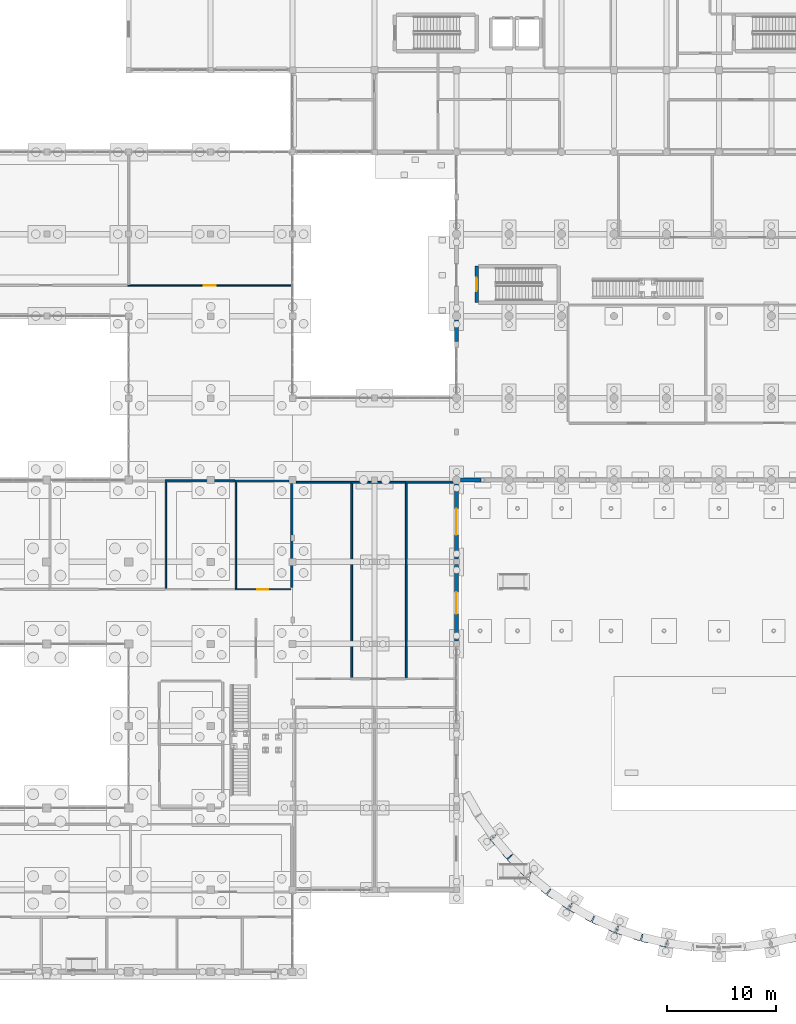
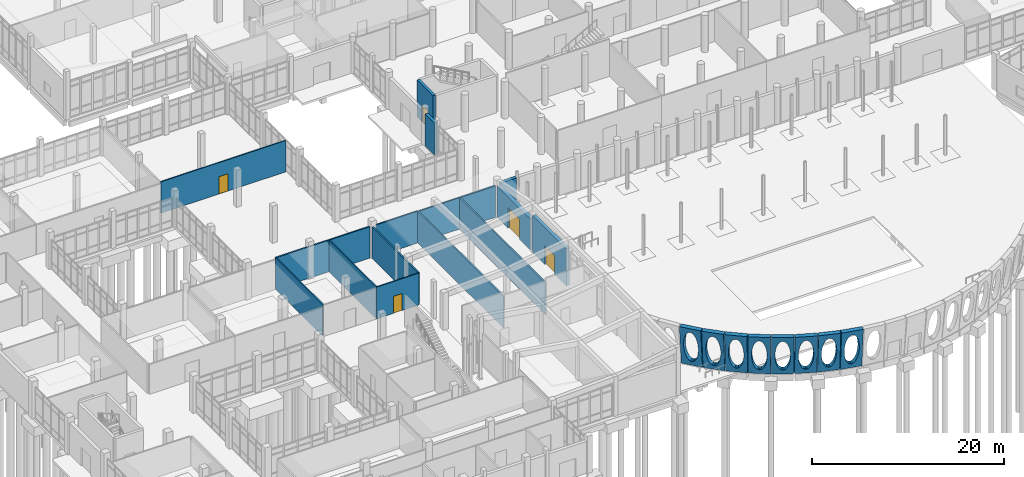
# One storey, part 150 of 173: 25 walls, 5 doors, 13 openings.
"""IFC4 building model written with IfcOpenShell, lengths in metres."""

from ifc_helpers import new_model, si_unit, direction, frame, frame_2d, origin, place, context, subcontext, project, spatial, polyline, rectangle, outline, extrude, material, layer, layer_set, type_object, element, fill, save


model = new_model("IFC4")

# Units and contexts
model_context = context("Model", 3, precision=1e-05, world=origin(), true_north=direction((0.0, 1.0)))
body_context = subcontext(model_context, "Body", "Model", "MODEL_VIEW")
ifc_project = project(units=[si_unit("LENGTHUNIT", "METRE"), si_unit("AREAUNIT", "SQUARE_METRE"), si_unit("VOLUMEUNIT", "CUBIC_METRE"), si_unit("PLANEANGLEUNIT", "RADIAN"), si_unit("MASSUNIT", "GRAM", prefix="KILO")], contexts=[model_context])

# Site, building, storey
site_placement = place(None, origin())
site = spatial("IfcSite", under=ifc_project, at=site_placement, CompositionType="ELEMENT")
building_placement = place(site_placement, origin())
building = spatial("IfcBuilding", under=site, at=building_placement, Name="Mawjan Specialist Oncology Clinic", CompositionType="ELEMENT")
storey_placement = place(building_placement, origin())
storey = spatial("IfcBuildingStorey", under=building, at=storey_placement, Name="L00", CompositionType="ELEMENT", Elevation=0.0)

# Wall
ifc_material_1 = material(Name="Precast concrete C40/50", Category="concrete")
ifc_layer_1 = layer(ifc_material_1, 0.3798828125, Name="Precast concrete C40/50", Category="concrete")
ifc_layer_set_1 = layer_set([ifc_layer_1], Name="Precast concrete C40/50")
wall_type_1 = type_object("IfcWallType", Name="EW-380", PredefinedType="SOLIDWALL", material=ifc_layer_set_1)
wall_1_placement = place(storey_placement, frame((62.238037109375, 45.800048828125, 0.0), z_axis=(0.0, 0.0, 1.0), x_axis=(-1.0, 0.0, 0.0)))
element("IfcWall", 1, at=wall_1_placement, inside=storey, type_object=wall_type_1, Name="L00 Coral-Limestone Exterior Wall EW-L00-054", PredefinedType="SOLIDWALL", context=body_context, shape_type="SweptSolid", body=[
    extrude(rectangle(XDim=1.863037109375, YDim=0.3798828125, at=frame_2d((0.931640625, 0.0))), origin(), (0.0, 0.0, 1.0), 4.034912109375),
])

# Wall, opening, door
wall_2_placement = place(storey_placement, frame((60.0, 45.425048828125, 0.0), z_axis=(0.0, 0.0, 1.0), x_axis=(0.0, -1.0, 0.0)))
wall_2 = element("IfcWall", 2, at=wall_2_placement, inside=storey, type_object=wall_type_1, Name="L00 Coral-Limestone Exterior Wall EW-L00-055", PredefinedType="SOLIDWALL", context=body_context, shape_type="SweptSolid", body=[
    extrude(rectangle(XDim=6.875, YDim=0.3798828125, at=frame_2d((3.4375, 0.0))), origin(), (0.0, 0.0, 1.0), 3.985107421875),
])
opening_1_placement = place(wall_2_placement, frame((2.237548828125, 0.0, 0.0)))
opening_1 = element("IfcOpeningElement", 3, at=opening_1_placement, cuts=wall_2, Name="Opening DE-240", PredefinedType="OPENING", context=body_context, shape_type="SweptSolid", body=[
    extrude(rectangle(XDim=2.39990234375, YDim=2.550048828125, at=frame_2d((1.199951171875, 1.27490234375))), frame((0.0, 0.201904296875, 0.0), z_axis=(0.0, -1.0, 0.0), x_axis=(1.0, 0.0, 0.0)), (0.0, 0.0, 1.0), 0.40380859375),
])
ifc_material_2 = material(Name="Insulated marine-grade aluminium entrance assembly", Category="aluminium")
door_type_1 = type_object("IfcDoorType", Name="DE-240", OperationType="DOUBLE_DOOR_SINGLE_SWING", PredefinedType="DOOR", material=ifc_material_2)
door_1_placement = place(opening_1_placement, origin())
door_1 = element("IfcDoor", 4, at=door_1_placement, inside=storey, type_object=door_type_1, Name="Main Pedestrian Final Exit Door E-10", OperationType="DOUBLE_DOOR_SINGLE_SWING", OverallHeight=2.550048828125, OverallWidth=2.39990234375, PredefinedType="DOOR", context=body_context, shape_type="SweptSolid", body=[
    extrude(rectangle(XDim=2.39990234375, YDim=2.550048828125, at=frame_2d((1.199951171875, 1.27490234375))), frame((0.0, 0.02490234375, 0.0), z_axis=(0.0, -1.0, 0.0), x_axis=(1.0, 0.0, 0.0)), (0.0, 0.0, 1.0), 0.050048828125),
])
fill(opening_1, door_1)

wall_3_placement = place(storey_placement, frame((60.0, 38.050048828125, 0.0), z_axis=(0.0, 0.0, 1.0), x_axis=(0.0, -1.0, 0.0)))
wall_3 = element("IfcWall", 5, at=wall_3_placement, inside=storey, type_object=wall_type_1, Name="L00 Coral-Limestone Exterior Wall EW-L00-056", PredefinedType="SOLIDWALL", context=body_context, shape_type="SweptSolid", body=[
    extrude(rectangle(XDim=7.0, YDim=0.3798828125, at=frame_2d((3.5, 0.0))), origin(), (0.0, 0.0, 1.0), 4.699951171875),
])
opening_2_placement = place(wall_3_placement, frame((2.5, 0.0, 0.0)))
opening_2 = element("IfcOpeningElement", 6, at=opening_2_placement, cuts=wall_3, Name="Opening DE-200", PredefinedType="OPENING", context=body_context, shape_type="SweptSolid", body=[
    extrude(rectangle(XDim=2.0, YDim=2.35009765625, at=frame_2d((1.0, 1.175048828125))), frame((0.0, 0.201904296875, 0.0), z_axis=(0.0, -1.0, 0.0), x_axis=(1.0, 0.0, 0.0)), (0.0, 0.0, 1.0), 0.40380859375),
])
ifc_material_3 = material(Name="Insulated marine-grade aluminium entrance assembly", Category="aluminium")
door_type_2 = type_object("IfcDoorType", Name="DE-200", OperationType="DOUBLE_DOOR_SINGLE_SWING", PredefinedType="DOOR", material=ifc_material_3)
door_2_placement = place(opening_2_placement, origin())
door_2 = element("IfcDoor", 7, at=door_2_placement, inside=storey, type_object=door_type_2, Name="Main Pedestrian Final Exit Door E-11", OperationType="DOUBLE_DOOR_SINGLE_SWING", OverallHeight=2.35009765625, OverallWidth=2.0, PredefinedType="DOOR", context=body_context, shape_type="SweptSolid", body=[
    extrude(rectangle(XDim=2.0, YDim=2.35009765625, at=frame_2d((1.0, 1.175048828125))), frame((0.0, 0.02490234375, 0.0), z_axis=(0.0, -1.0, 0.0), x_axis=(1.0, 0.0, 0.0)), (0.0, 0.0, 1.0), 0.050048828125),
])
fill(opening_2, door_2)

# Wall
wall_4_placement = place(storey_placement, frame((60.0, 58.47509765625, 0.0), z_axis=(0.0, 0.0, 1.0), x_axis=(0.0, 1.0, 0.0)))
element("IfcWall", 8, at=wall_4_placement, inside=storey, type_object=wall_type_1, Name="L00 Coral-Limestone Exterior Wall EW-L00-060", PredefinedType="SOLIDWALL", context=body_context, shape_type="SweptSolid", body=[
    extrude(rectangle(XDim=1.949951171875, YDim=0.3798828125, at=frame_2d((0.97509765625, 0.0))), origin(), (0.0, 0.0, 1.0), 4.034912109375),
])

# Wall, opening
ifc_material_4 = material(Name="Concrete C45/55", Category="concrete")
ifc_layer_2 = layer(ifc_material_4, 0.550048828125, Name="Concrete C45/55", Category="concrete")
ifc_layer_set_2 = layer_set([ifc_layer_2], Name="Concrete C45/55")
wall_type_2 = type_object("IfcWallType", Name="EW-ARC550", PredefinedType="SOLIDWALL", material=ifc_layer_set_2)
wall_5_placement = place(storey_placement, frame((64.89794921875, 11.362548828125, 0.0), z_axis=(0.0, 0.0, 1.0), x_axis=(-0.644433033076, 0.764660752151, 0.0)))
wall_5 = element("IfcWall", 9, at=wall_5_placement, inside=storey, type_object=wall_type_2, Name="Curved Stone-Arc Wall L00 Chord 03", PredefinedType="SOLIDWALL", context=body_context, shape_type="SweptSolid", body=[
    extrude(outline(polyline([(-0.27490234375, 0.0), (0.27490234375, 0.0), (0.8447265625, 5.0), (0.29443359375, 5.0), (-0.27490234375, 0.0)])), frame((0.0, 0.0, 0.0), z_axis=(1.0, 0.0, 0.0), x_axis=(0.0, 1.0, 0.0)), (0.0, 0.0, 1.0), 2.3515625),
])
opening_3_placement = place(wall_5_placement, origin())
element("IfcOpeningElement", 10, at=opening_3_placement, cuts=wall_5, Name="Elliptical sky opening 1", PredefinedType="OPENING", context=body_context, shape_type="SweptSolid", body=[
    extrude(outline(polyline([(1.99169921875, 2.5), (1.975830078125, 2.889404296875), (1.929443359375, 3.263671875), (1.85400390625, 3.608642578125), (1.752685546875, 3.9111328125), (1.629150390625, 4.1591796875), (1.488037109375, 4.34375), (1.3349609375, 4.457275390625), (1.17578125, 4.49560546875), (1.0166015625, 4.457275390625), (0.863525390625, 4.34375), (0.72265625, 4.1591796875), (0.598876953125, 3.9111328125), (0.49755859375, 3.608642578125), (0.422119140625, 3.263671875), (0.375732421875, 2.889404296875), (0.360107421875, 2.5), (0.375732421875, 2.110595703125), (0.422119140625, 1.736328125), (0.49755859375, 1.391357421875), (0.598876953125, 1.0888671875), (0.72265625, 0.8408203125), (0.863525390625, 0.65625), (1.0166015625, 0.542724609375), (1.17578125, 0.50439453125), (1.3349609375, 0.542724609375), (1.488037109375, 0.65625), (1.629150390625, 0.8408203125), (1.752685546875, 1.0888671875), (1.85400390625, 1.391357421875), (1.929443359375, 1.736328125), (1.975830078125, 2.110595703125), (1.99169921875, 2.5)])), frame((0.0, 0.864501953125, 0.0), z_axis=(0.0, -1.0, 0.0), x_axis=(1.0, 0.0, 0.0)), (0.0, 0.0, 1.0), 1.15966796875),
])

wall_6_placement = place(storey_placement, frame((66.592041015625, 9.688720703125, 0.0), z_axis=(0.0, 0.0, 1.0), x_axis=(-0.711763072192, 0.702419624629, 0.0)))
wall_6 = element("IfcWall", 11, at=wall_6_placement, inside=storey, type_object=wall_type_2, Name="Curved Stone-Arc Wall L00 Chord 04", PredefinedType="SOLIDWALL", context=body_context, shape_type="SweptSolid", body=[
    extrude(outline(polyline([(-0.27490234375, 0.0), (0.27490234375, 0.0), (0.8447265625, 5.0), (0.29443359375, 5.0), (-0.27490234375, 0.0)])), frame((0.0, 0.0, 0.0), z_axis=(1.0, 0.0, 0.0), x_axis=(0.0, 1.0, 0.0)), (0.0, 0.0, 1.0), 2.3515625),
])
opening_4_placement = place(wall_6_placement, origin())
element("IfcOpeningElement", 12, at=opening_4_placement, cuts=wall_6, Name="Elliptical sky opening 1", PredefinedType="OPENING", context=body_context, shape_type="SweptSolid", body=[
    extrude(outline(polyline([(1.99169921875, 2.5), (1.975830078125, 2.889404296875), (1.929443359375, 3.263671875), (1.85400390625, 3.608642578125), (1.752685546875, 3.9111328125), (1.629150390625, 4.1591796875), (1.488037109375, 4.34375), (1.3349609375, 4.457275390625), (1.17578125, 4.49560546875), (1.0166015625, 4.457275390625), (0.863525390625, 4.34375), (0.72265625, 4.1591796875), (0.598876953125, 3.9111328125), (0.49755859375, 3.608642578125), (0.422119140625, 3.263671875), (0.375732421875, 2.889404296875), (0.360107421875, 2.5), (0.375732421875, 2.110595703125), (0.422119140625, 1.736328125), (0.49755859375, 1.391357421875), (0.598876953125, 1.0888671875), (0.72265625, 0.8408203125), (0.863525390625, 0.65625), (1.0166015625, 0.542724609375), (1.17578125, 0.50439453125), (1.3349609375, 0.542724609375), (1.488037109375, 0.65625), (1.629150390625, 0.8408203125), (1.752685546875, 1.0888671875), (1.85400390625, 1.391357421875), (1.929443359375, 1.736328125), (1.975830078125, 2.110595703125), (1.99169921875, 2.5)])), frame((0.0, 0.864501953125, 0.0), z_axis=(0.0, -1.0, 0.0), x_axis=(1.0, 0.0, 0.0)), (0.0, 0.0, 1.0), 1.15966796875),
])

wall_7_placement = place(storey_placement, frame((68.431884765625, 8.177001953125, 0.0), z_axis=(0.0, 0.0, 1.0), x_axis=(-0.77300809069, 0.634396163078, 0.0)))
wall_7 = element("IfcWall", 13, at=wall_7_placement, inside=storey, type_object=wall_type_2, Name="Curved Stone-Arc Wall L00 Chord 05", PredefinedType="SOLIDWALL", context=body_context, shape_type="SweptSolid", body=[
    extrude(outline(polyline([(-0.27490234375, 0.0), (0.27490234375, 0.0), (0.8447265625, 5.0), (0.29443359375, 5.0), (-0.27490234375, 0.0)])), frame((0.0, 0.0, 0.0), z_axis=(1.0, 0.0, 0.0), x_axis=(0.0, 1.0, 0.0)), (0.0, 0.0, 1.0), 2.351318359375),
])
opening_5_placement = place(wall_7_placement, origin())
element("IfcOpeningElement", 14, at=opening_5_placement, cuts=wall_7, Name="Elliptical sky opening 1", PredefinedType="OPENING", context=body_context, shape_type="SweptSolid", body=[
    extrude(outline(polyline([(1.99169921875, 2.5), (1.975830078125, 2.889404296875), (1.929443359375, 3.263671875), (1.85400390625, 3.608642578125), (1.752685546875, 3.9111328125), (1.629150390625, 4.1591796875), (1.488037109375, 4.34375), (1.3349609375, 4.457275390625), (1.17578125, 4.49560546875), (1.0166015625, 4.457275390625), (0.863525390625, 4.34375), (0.72265625, 4.1591796875), (0.598876953125, 3.9111328125), (0.49755859375, 3.608642578125), (0.422119140625, 3.263671875), (0.375732421875, 2.889404296875), (0.360107421875, 2.5), (0.375732421875, 2.110595703125), (0.422119140625, 1.736328125), (0.49755859375, 1.391357421875), (0.598876953125, 1.0888671875), (0.72265625, 0.8408203125), (0.863525390625, 0.65625), (1.0166015625, 0.542724609375), (1.17578125, 0.50439453125), (1.3349609375, 0.542724609375), (1.488037109375, 0.65625), (1.629150390625, 0.8408203125), (1.752685546875, 1.0888671875), (1.85400390625, 1.391357421875), (1.929443359375, 1.736328125), (1.975830078125, 2.110595703125), (1.99169921875, 2.5)])), frame((0.0, 0.864501953125, 0.0), z_axis=(0.0, -1.0, 0.0), x_axis=(1.0, 0.0, 0.0)), (0.0, 0.0, 1.0), 1.15966796875),
])

wall_8_placement = place(storey_placement, frame((70.402587890625, 6.83984375, 0.0), z_axis=(0.0, 0.0, 1.0), x_axis=(-0.8278253666, 0.560985884327, 0.0)))
wall_8 = element("IfcWall", 15, at=wall_8_placement, inside=storey, type_object=wall_type_2, Name="Curved Stone-Arc Wall L00 Chord 06", PredefinedType="SOLIDWALL", context=body_context, shape_type="SweptSolid", body=[
    extrude(outline(polyline([(-0.27490234375, 0.0), (0.27490234375, 0.0), (0.8447265625, 5.0), (0.29443359375, 5.0), (-0.27490234375, 0.0)])), frame((0.0, 0.0, 0.0), z_axis=(1.0, 0.0, 0.0), x_axis=(0.0, 1.0, 0.0)), (0.0, 0.0, 1.0), 2.351318359375),
])
opening_6_placement = place(wall_8_placement, origin())
element("IfcOpeningElement", 16, at=opening_6_placement, cuts=wall_8, Name="Elliptical sky opening 1", PredefinedType="OPENING", context=body_context, shape_type="SweptSolid", body=[
    extrude(outline(polyline([(1.99169921875, 2.5), (1.975830078125, 2.889404296875), (1.929443359375, 3.263671875), (1.85400390625, 3.608642578125), (1.752685546875, 3.9111328125), (1.629150390625, 4.1591796875), (1.488037109375, 4.34375), (1.3349609375, 4.457275390625), (1.17578125, 4.49560546875), (1.0166015625, 4.457275390625), (0.863525390625, 4.34375), (0.72265625, 4.1591796875), (0.598876953125, 3.9111328125), (0.49755859375, 3.608642578125), (0.422119140625, 3.263671875), (0.375732421875, 2.889404296875), (0.360107421875, 2.5), (0.375732421875, 2.110595703125), (0.422119140625, 1.736328125), (0.49755859375, 1.391357421875), (0.598876953125, 1.0888671875), (0.72265625, 0.8408203125), (0.863525390625, 0.65625), (1.0166015625, 0.542724609375), (1.17578125, 0.50439453125), (1.3349609375, 0.542724609375), (1.488037109375, 0.65625), (1.629150390625, 0.8408203125), (1.752685546875, 1.0888671875), (1.85400390625, 1.391357421875), (1.929443359375, 1.736328125), (1.975830078125, 2.110595703125), (1.99169921875, 2.5)])), frame((0.0, 0.864501953125, 0.0), z_axis=(0.0, -1.0, 0.0), x_axis=(1.0, 0.0, 0.0)), (0.0, 0.0, 1.0), 1.15966796875),
])

wall_9_placement = place(storey_placement, frame((72.4873046875, 5.6884765625, 0.0), z_axis=(0.0, 0.0, 1.0), x_axis=(-0.875632191941, 0.482978534137, 0.0)))
wall_9 = element("IfcWall", 17, at=wall_9_placement, inside=storey, type_object=wall_type_2, Name="Curved Stone-Arc Wall L00 Chord 07", PredefinedType="SOLIDWALL", context=body_context, shape_type="SweptSolid", body=[
    extrude(outline(polyline([(-0.27490234375, 0.0), (0.27490234375, 0.0), (0.8447265625, 5.0), (0.29443359375, 5.0), (-0.27490234375, 0.0)])), frame((0.0, 0.0, 0.0), z_axis=(1.0, 0.0, 0.0), x_axis=(0.0, 1.0, 0.0)), (0.0, 0.0, 1.0), 2.3515625),
])
opening_7_placement = place(wall_9_placement, origin())
element("IfcOpeningElement", 18, at=opening_7_placement, cuts=wall_9, Name="Elliptical sky opening 1", PredefinedType="OPENING", context=body_context, shape_type="SweptSolid", body=[
    extrude(outline(polyline([(1.99169921875, 2.5), (1.975830078125, 2.889404296875), (1.929443359375, 3.263671875), (1.85400390625, 3.608642578125), (1.752685546875, 3.9111328125), (1.629150390625, 4.1591796875), (1.488037109375, 4.34375), (1.3349609375, 4.457275390625), (1.17578125, 4.49560546875), (1.0166015625, 4.457275390625), (0.863525390625, 4.34375), (0.72265625, 4.1591796875), (0.598876953125, 3.9111328125), (0.49755859375, 3.608642578125), (0.422119140625, 3.263671875), (0.375732421875, 2.889404296875), (0.360107421875, 2.5), (0.375732421875, 2.110595703125), (0.422119140625, 1.736328125), (0.49755859375, 1.391357421875), (0.598876953125, 1.0888671875), (0.72265625, 0.8408203125), (0.863525390625, 0.65625), (1.0166015625, 0.542724609375), (1.17578125, 0.50439453125), (1.3349609375, 0.542724609375), (1.488037109375, 0.65625), (1.629150390625, 0.8408203125), (1.752685546875, 1.0888671875), (1.85400390625, 1.391357421875), (1.929443359375, 1.736328125), (1.975830078125, 2.110595703125), (1.99169921875, 2.5)])), frame((0.0, 0.864501953125, 0.0), z_axis=(0.0, -1.0, 0.0), x_axis=(1.0, 0.0, 0.0)), (0.0, 0.0, 1.0), 1.15966796875),
])

wall_10_placement = place(storey_placement, frame((74.668701171875, 4.73291015625, 0.0), z_axis=(0.0, 0.0, 1.0), x_axis=(-0.916193071853, 0.400737139643, 0.0)))
wall_10 = element("IfcWall", 19, at=wall_10_placement, inside=storey, type_object=wall_type_2, Name="Curved Stone-Arc Wall L00 Chord 08", PredefinedType="SOLIDWALL", context=body_context, shape_type="SweptSolid", body=[
    extrude(outline(polyline([(-0.27490234375, 0.0), (0.27490234375, 0.0), (0.8447265625, 5.0), (0.29443359375, 5.0), (-0.27490234375, 0.0)])), frame((0.0, 0.0, 0.0), z_axis=(1.0, 0.0, 0.0), x_axis=(0.0, 1.0, 0.0)), (0.0, 0.0, 1.0), 2.3515625),
])
opening_8_placement = place(wall_10_placement, origin())
element("IfcOpeningElement", 20, at=opening_8_placement, cuts=wall_10, Name="Elliptical sky opening 1", PredefinedType="OPENING", context=body_context, shape_type="SweptSolid", body=[
    extrude(outline(polyline([(1.99169921875, 2.5), (1.975830078125, 2.889404296875), (1.929443359375, 3.263671875), (1.85400390625, 3.608642578125), (1.752685546875, 3.9111328125), (1.629150390625, 4.1591796875), (1.488037109375, 4.34375), (1.3349609375, 4.457275390625), (1.17578125, 4.49560546875), (1.0166015625, 4.457275390625), (0.863525390625, 4.34375), (0.72265625, 4.1591796875), (0.598876953125, 3.9111328125), (0.49755859375, 3.608642578125), (0.422119140625, 3.263671875), (0.375732421875, 2.889404296875), (0.360107421875, 2.5), (0.375732421875, 2.110595703125), (0.422119140625, 1.736328125), (0.49755859375, 1.391357421875), (0.598876953125, 1.0888671875), (0.72265625, 0.8408203125), (0.863525390625, 0.65625), (1.0166015625, 0.542724609375), (1.17578125, 0.50439453125), (1.3349609375, 0.542724609375), (1.488037109375, 0.65625), (1.629150390625, 0.8408203125), (1.752685546875, 1.0888671875), (1.85400390625, 1.391357421875), (1.929443359375, 1.736328125), (1.975830078125, 2.110595703125), (1.99169921875, 2.5)])), frame((0.0, 0.864501953125, 0.0), z_axis=(0.0, -1.0, 0.0), x_axis=(1.0, 0.0, 0.0)), (0.0, 0.0, 1.0), 1.15966796875),
])

wall_11_placement = place(storey_placement, frame((76.92822265625, 3.98095703125, 0.0), z_axis=(0.0, 0.0, 1.0), x_axis=(-0.949015033488, 0.315230814187, 0.0)))
wall_11 = element("IfcWall", 21, at=wall_11_placement, inside=storey, type_object=wall_type_2, Name="Curved Stone-Arc Wall L00 Chord 09", PredefinedType="SOLIDWALL", context=body_context, shape_type="SweptSolid", body=[
    extrude(outline(polyline([(-0.27490234375, 0.0), (0.27490234375, 0.0), (0.8447265625, 5.0), (0.29443359375, 5.0), (-0.27490234375, 0.0)])), frame((0.0, 0.0, 0.0), z_axis=(1.0, 0.0, 0.0), x_axis=(0.0, 1.0, 0.0)), (0.0, 0.0, 1.0), 2.351318359375),
])
opening_9_placement = place(wall_11_placement, origin())
element("IfcOpeningElement", 22, at=opening_9_placement, cuts=wall_11, Name="Elliptical sky opening 1", PredefinedType="OPENING", context=body_context, shape_type="SweptSolid", body=[
    extrude(outline(polyline([(1.99169921875, 2.5), (1.975830078125, 2.889404296875), (1.929443359375, 3.263671875), (1.85400390625, 3.608642578125), (1.752685546875, 3.9111328125), (1.629150390625, 4.1591796875), (1.488037109375, 4.34375), (1.3349609375, 4.457275390625), (1.17578125, 4.49560546875), (1.0166015625, 4.457275390625), (0.863525390625, 4.34375), (0.72265625, 4.1591796875), (0.598876953125, 3.9111328125), (0.49755859375, 3.608642578125), (0.422119140625, 3.263671875), (0.375732421875, 2.889404296875), (0.360107421875, 2.5), (0.375732421875, 2.110595703125), (0.422119140625, 1.736328125), (0.49755859375, 1.391357421875), (0.598876953125, 1.0888671875), (0.72265625, 0.8408203125), (0.863525390625, 0.65625), (1.0166015625, 0.542724609375), (1.17578125, 0.50439453125), (1.3349609375, 0.542724609375), (1.488037109375, 0.65625), (1.629150390625, 0.8408203125), (1.752685546875, 1.0888671875), (1.85400390625, 1.391357421875), (1.929443359375, 1.736328125), (1.975830078125, 2.110595703125), (1.99169921875, 2.5)])), frame((0.0, 0.864501953125, 0.0), z_axis=(0.0, -1.0, 0.0), x_axis=(1.0, 0.0, 0.0)), (0.0, 0.0, 1.0), 1.15966796875),
])

wall_12_placement = place(storey_placement, frame((79.247314453125, 3.438720703125, 0.0), z_axis=(0.0, 0.0, 1.0), x_axis=(-0.973879487576, 0.227065505259, 0.0)))
wall_12 = element("IfcWall", 23, at=wall_12_placement, inside=storey, type_object=wall_type_2, Name="Curved Stone-Arc Wall L00 Chord 10", PredefinedType="SOLIDWALL", context=body_context, shape_type="SweptSolid", body=[
    extrude(outline(polyline([(-0.27490234375, 0.0), (0.27490234375, 0.0), (0.8447265625, 5.0), (0.29443359375, 5.0), (-0.27490234375, 0.0)])), frame((0.0, 0.0, 0.0), z_axis=(1.0, 0.0, 0.0), x_axis=(0.0, 1.0, 0.0)), (0.0, 0.0, 1.0), 2.3515625),
])
opening_10_placement = place(wall_12_placement, origin())
element("IfcOpeningElement", 24, at=opening_10_placement, cuts=wall_12, Name="Elliptical sky opening 1", PredefinedType="OPENING", context=body_context, shape_type="SweptSolid", body=[
    extrude(outline(polyline([(1.99169921875, 2.5), (1.975830078125, 2.889404296875), (1.929443359375, 3.263671875), (1.85400390625, 3.608642578125), (1.752685546875, 3.9111328125), (1.629150390625, 4.1591796875), (1.488037109375, 4.34375), (1.3349609375, 4.457275390625), (1.17578125, 4.49560546875), (1.0166015625, 4.457275390625), (0.863525390625, 4.34375), (0.72265625, 4.1591796875), (0.598876953125, 3.9111328125), (0.49755859375, 3.608642578125), (0.422119140625, 3.263671875), (0.375732421875, 2.889404296875), (0.360107421875, 2.5), (0.375732421875, 2.110595703125), (0.422119140625, 1.736328125), (0.49755859375, 1.391357421875), (0.598876953125, 1.0888671875), (0.72265625, 0.8408203125), (0.863525390625, 0.65625), (1.0166015625, 0.542724609375), (1.17578125, 0.50439453125), (1.3349609375, 0.542724609375), (1.488037109375, 0.65625), (1.629150390625, 0.8408203125), (1.752685546875, 1.0888671875), (1.85400390625, 1.391357421875), (1.929443359375, 1.736328125), (1.975830078125, 2.110595703125), (1.99169921875, 2.5)])), frame((0.0, 0.864501953125, 0.0), z_axis=(0.0, -1.0, 0.0), x_axis=(1.0, 0.0, 0.0)), (0.0, 0.0, 1.0), 1.15966796875),
])

# Wall, opening, door
ifc_material_5 = material(Name="Concrete C45/55", Category="concrete")
ifc_layer_3 = layer(ifc_material_5, 0.320068359375, Name="Concrete C45/55", Category="concrete")
ifc_layer_set_3 = layer_set([ifc_layer_3], Name="Concrete C45/55")
wall_type_3 = type_object("IfcWallType", Name="SW-350", PredefinedType="SHEAR", material=ifc_layer_set_3)
wall_13_placement = place(storey_placement, frame((61.840087890625, 65.360107421875, 0.0), z_axis=(0.0, 0.0, 1.0), x_axis=(0.0, -1.0, 0.0)))
wall_13 = element("IfcWall", 25, at=wall_13_placement, inside=storey, type_object=wall_type_3, Name="L00 Core K7 Stair Shear Wall 4", PredefinedType="SHEAR", context=body_context, shape_type="SweptSolid", body=[
    extrude(rectangle(XDim=3.320068359375, YDim=0.320068359375, at=frame_2d((1.66015625, 0.0))), origin(), (0.0, 0.0, 1.0), 4.699951171875),
])
opening_11_placement = place(wall_13_placement, frame((1.034912109375, 0.0, 0.0)))
opening_11 = element("IfcOpeningElement", 26, at=opening_11_placement, cuts=wall_13, Name="Opening FD-90W", PredefinedType="OPENING", context=body_context, shape_type="SweptSolid", body=[
    extrude(rectangle(XDim=1.25, YDim=2.199951171875, at=frame_2d((0.625, 1.10009765625))), frame((0.0, 0.172119140625, 0.0), z_axis=(0.0, -1.0, 0.0), x_axis=(1.0, 0.0, 0.0)), (0.0, 0.0, 1.0), 0.343994140625),
])
ifc_material_6 = material(Name="Stainless-steel fire-rated hospital door", Category="steel")
door_type_3 = type_object("IfcDoorType", Name="FD-90W", OperationType="NOTDEFINED", PredefinedType="DOOR", material=ifc_material_6)
door_3_placement = place(opening_11_placement, origin())
door_3 = element("IfcDoor", 27, at=door_3_placement, inside=storey, type_object=door_type_3, Name="L00 ST-07 Fire Exit Stair Door", OperationType="SINGLE_SWING_LEFT", OverallHeight=2.199951171875, OverallWidth=1.25, PredefinedType="DOOR", context=body_context, shape_type="SweptSolid", body=[
    extrude(rectangle(XDim=1.25, YDim=2.199951171875, at=frame_2d((0.625, 1.10009765625))), frame((0.0, 0.02490234375, 0.0), z_axis=(0.0, -1.0, 0.0), x_axis=(1.0, 0.0, 0.0)), (0.0, 0.0, 1.0), 0.050048828125),
])
fill(opening_11, door_3)

ifc_material_7 = material(Name="Moisture-resistant washroom partition", Category="gypsum")
ifc_layer_4 = layer(ifc_material_7, 0.125, Name="Moisture-resistant washroom partition", Category="gypsum")
ifc_layer_set_4 = layer_set([ifc_layer_4], Name="Moisture-resistant washroom partition")
wall_type_4 = type_object("IfcWallType", Name="WP-125", PredefinedType="PARTITIONING", material=ifc_layer_set_4)
wall_14_placement = place(storey_placement, frame((39.72705078125, 35.800048828125, 0.0), z_axis=(0.0, 0.0, 1.0), x_axis=(1.0, 0.0, 0.0)))
wall_14 = element("IfcWall", 28, at=wall_14_placement, inside=storey, type_object=wall_type_4, Name="L00 Interior Partition W-INT-L00-009B-C", PredefinedType="PARTITIONING", context=body_context, shape_type="SweptSolid", body=[
    extrude(rectangle(XDim=5.10791015625, YDim=0.125, at=frame_2d((2.553955078125, 0.0))), origin(), (0.0, 0.0, 1.0), 4.034912109375),
])
opening_12_placement = place(wall_14_placement, frame((2.053955078125, 0.0, 0.0)))
opening_12 = element("IfcOpeningElement", 29, at=opening_12_placement, cuts=wall_14, Name="Opening DI-100", PredefinedType="OPENING", context=body_context, shape_type="SweptSolid", body=[
    extrude(rectangle(XDim=1.0, YDim=2.14990234375, at=frame_2d((0.5, 1.074951171875))), frame((0.0, 0.074462890625, 0.0), z_axis=(0.0, -1.0, 0.0), x_axis=(1.0, 0.0, 0.0)), (0.0, 0.0, 1.0), 0.14892578125),
])
ifc_material_8 = material(Name="Acoustic laminate hospital door leaf", Category="wood")
door_type_4 = type_object("IfcDoorType", Name="DI-100", OperationType="NOTDEFINED", PredefinedType="DOOR", material=ifc_material_8)
door_4_placement = place(opening_12_placement, origin())
door_4 = element("IfcDoor", 30, at=door_4_placement, inside=storey, type_object=door_type_4, Name="L00 Ablution Washroom Door", OperationType="SINGLE_SWING_RIGHT", OverallHeight=2.14990234375, OverallWidth=1.0, PredefinedType="DOOR", context=body_context, shape_type="SweptSolid", body=[
    extrude(rectangle(XDim=1.0, YDim=2.14990234375, at=frame_2d((0.5, 1.074951171875))), frame((0.0, 0.02490234375, 0.0), z_axis=(0.0, -1.0, 0.0), x_axis=(1.0, 0.0, 0.0)), (0.0, 0.0, 1.0), 0.050048828125),
])
fill(opening_12, door_4)

wall_15_placement = place(storey_placement, frame((29.927001953125, 63.60009765625, 0.0), z_axis=(0.0, 0.0, 1.0), x_axis=(1.0, 0.0, 0.0)))
wall_15 = element("IfcWall", 31, at=wall_15_placement, inside=storey, type_object=wall_type_4, Name="L00 Interior Partition W-INT-L00-014-C", PredefinedType="PARTITIONING", context=body_context, shape_type="SweptSolid", body=[
    extrude(rectangle(XDim=14.970947265625, YDim=0.125, at=frame_2d((7.4853515625, 0.0))), origin(), (0.0, 0.0, 1.0), 3.985107421875),
])
opening_13_placement = place(wall_15_placement, frame((6.925537109375, 0.0, 0.0)))
opening_13 = element("IfcOpeningElement", 32, at=opening_13_placement, cuts=wall_15, Name="Opening DI-112", PredefinedType="OPENING", context=body_context, shape_type="SweptSolid", body=[
    extrude(rectangle(XDim=1.1201171875, YDim=2.199951171875, at=frame_2d((0.56005859375, 1.10009765625))), frame((0.0, 0.074462890625, 0.0), z_axis=(0.0, -1.0, 0.0), x_axis=(1.0, 0.0, 0.0)), (0.0, 0.0, 1.0), 0.14892578125),
])
ifc_material_9 = material(Name="Acoustic laminate hospital door leaf", Category="wood")
door_type_5 = type_object("IfcDoorType", Name="DI-112", OperationType="NOTDEFINED", PredefinedType="DOOR", material=ifc_material_9)
door_5_placement = place(opening_13_placement, origin())
door_5 = element("IfcDoor", 33, at=door_5_placement, inside=storey, type_object=door_type_5, Name="L00 Outpatient Sub-Waiting Hall Door", OperationType="SINGLE_SWING_LEFT", OverallHeight=2.199951171875, OverallWidth=1.1201171875, PredefinedType="DOOR", context=body_context, shape_type="SweptSolid", body=[
    extrude(rectangle(XDim=1.1201171875, YDim=2.199951171875, at=frame_2d((0.56005859375, 1.10009765625))), frame((0.0, 0.02490234375, 0.0), z_axis=(0.0, -1.0, 0.0), x_axis=(1.0, 0.0, 0.0)), (0.0, 0.0, 1.0), 0.050048828125),
])
fill(opening_13, door_5)

# Walls
ifc_material_10 = material(Name="Acoustic gypsum clinical partition", Category="gypsum")
ifc_layer_5 = layer(ifc_material_10, 0.14990234375, Name="Acoustic gypsum clinical partition", Category="gypsum")
ifc_layer_set_5 = layer_set([ifc_layer_5], Name="Acoustic gypsum clinical partition")
wall_type_5 = type_object("IfcWallType", Name="WP-150", PredefinedType="PARTITIONING", material=ifc_layer_set_5)
wall_16_placement = place(storey_placement, frame((45.3369140625, 45.60009765625, 0.0), z_axis=(0.0, 0.0, 1.0), x_axis=(1.0, 0.0, 0.0)))
element("IfcWall", 34, at=wall_16_placement, inside=storey, type_object=wall_type_5, Name="L00 Interior Partition W-INT-L00-G03-R", PredefinedType="PARTITIONING", context=body_context, shape_type="SweptSolid", body=[
    extrude(rectangle(XDim=4.97802734375, YDim=0.14990234375, at=frame_2d((2.489013671875, 0.0))), origin(), (0.0, 0.0, 1.0), 4.034912109375),
])
wall_17_placement = place(storey_placement, frame((50.326904296875, 45.60009765625, 0.0), z_axis=(0.0, 0.0, 1.0), x_axis=(1.0, 0.0, 0.0)))
element("IfcWall", 35, at=wall_17_placement, inside=storey, type_object=wall_type_5, Name="L00 Interior Partition W-INT-L00-G04-R", PredefinedType="PARTITIONING", context=body_context, shape_type="SweptSolid", body=[
    extrude(rectangle(XDim=4.988037109375, YDim=0.14990234375, at=frame_2d((2.494140625, 0.0))), origin(), (0.0, 0.0, 1.0), 3.985107421875),
])
wall_18_placement = place(storey_placement, frame((33.39990234375, 35.886962890625, 0.0), z_axis=(0.0, 0.0, 1.0), x_axis=(0.0, 1.0, 0.0)))
element("IfcWall", 36, at=wall_18_placement, inside=storey, type_object=wall_type_5, Name="L00 Interior Partition W-INT-L00-008-D", PredefinedType="PARTITIONING", context=body_context, shape_type="SweptSolid", body=[
    extrude(rectangle(XDim=9.73095703125, YDim=0.14990234375, at=frame_2d((4.865478515625, 0.0))), origin(), (0.0, 0.0, 1.0), 3.985107421875),
])
wall_19_placement = place(storey_placement, frame((39.800048828125, 35.87451171875, 0.0), z_axis=(0.0, 0.0, 1.0), x_axis=(0.0, 1.0, 0.0)))
element("IfcWall", 37, at=wall_19_placement, inside=storey, type_object=wall_type_5, Name="L00 Interior Partition W-INT-L00-009-D", PredefinedType="PARTITIONING", context=body_context, shape_type="SweptSolid", body=[
    extrude(rectangle(XDim=9.75341796875, YDim=0.14990234375, at=frame_2d((4.876708984375, 0.0))), origin(), (0.0, 0.0, 1.0), 3.985107421875),
])
ifc_material_11 = material(Name="Acoustic clinical twin-stud partition", Category="gypsum")
ifc_layer_6 = layer(ifc_material_11, 0.159912109375, Name="Acoustic clinical twin-stud partition", Category="gypsum")
ifc_layer_set_6 = layer_set([ifc_layer_6], Name="Acoustic clinical twin-stud partition")
wall_type_6 = type_object("IfcWallType", Name="WP-160", PredefinedType="PARTITIONING", material=ifc_layer_set_6)
wall_20_placement = place(storey_placement, frame((39.72705078125, 45.719970703125, 0.0), z_axis=(0.0, 0.0, 1.0), x_axis=(1.0, 0.0, 0.0)))
element("IfcWall", 38, at=wall_20_placement, inside=storey, type_object=wall_type_6, Name="L00 Interior Partition W-INT-L00-009B-R", PredefinedType="PARTITIONING", context=body_context, shape_type="SweptSolid", body=[
    extrude(rectangle(XDim=4.94091796875, YDim=0.159912109375, at=frame_2d((2.470458984375, 0.0))), origin(), (0.0, 0.0, 1.0), 3.985107421875),
])
for number, where, z_axis, x_axis, name in (
    (39, (50.39990234375, 27.701904296875, 0.0), (0.0, 0.0, 1.0), (0.0, 1.0, 0.0), "L00 Interior Partition W-INT-L00-G03-D"),
    (40, (55.39990234375, 27.68701171875, 0.0), (0.0, 0.0, 1.0), (0.0, 1.0, 0.0), "L00 Interior Partition W-INT-L00-G04-D"),
):
    element("IfcWall", number, at=place(storey_placement, frame(where, z_axis=z_axis, x_axis=x_axis)), inside=storey, type_object=wall_type_6, Name=name, PredefinedType="PARTITIONING", context=body_context, shape_type="SweptSolid", body=[
        extrude(rectangle(XDim=17.81103515625, YDim=0.159912109375, at=frame_2d((8.905517578125, 0.0))), origin(), (0.0, 0.0, 1.0), 4.034912109375),
    ])
ifc_material_12 = material(Name="Lead-lined radiation-shielded clinical partition", Category="gypsum")
ifc_layer_7 = layer(ifc_material_12, 0.179931640625, Name="Lead-lined radiation-shielded clinical partition", Category="gypsum")
ifc_layer_set_7 = layer_set([ifc_layer_7], Name="Lead-lined radiation-shielded clinical partition")
wall_type_7 = type_object("IfcWallType", Name="WP-180", PredefinedType="PARTITIONING", material=ifc_layer_set_7)
wall_21_placement = place(storey_placement, frame((33.326904296875, 45.719970703125, 0.0), z_axis=(0.0, 0.0, 1.0), x_axis=(1.0, 0.0, 0.0)))
element("IfcWall", 41, at=wall_21_placement, inside=storey, type_object=wall_type_7, Name="L00 Interior Partition W-INT-L00-009-R", PredefinedType="PARTITIONING", context=body_context, shape_type="SweptSolid", body=[
    extrude(rectangle(XDim=6.38818359375, YDim=0.179931640625, at=frame_2d((3.194091796875, 0.0))), origin(), (0.0, 0.0, 1.0), 3.985107421875),
])
wall_22_placement = place(storey_placement, frame((55.326904296875, 45.60009765625, 0.0), z_axis=(0.0, 0.0, 1.0), x_axis=(1.0, 0.0, 0.0)))
element("IfcWall", 42, at=wall_22_placement, inside=storey, type_object=wall_type_7, Name="L00 Interior Partition W-INT-L00-G05-R", PredefinedType="PARTITIONING", context=body_context, shape_type="SweptSolid", body=[
    extrude(rectangle(XDim=4.3447265625, YDim=0.179931640625, at=frame_2d((2.17236328125, 0.0))), origin(), (0.0, 0.0, 1.0), 3.985107421875),
])
wall_23_placement = place(storey_placement, frame((44.919921875, 35.965087890625, 0.0), z_axis=(0.0, 0.0, 1.0), x_axis=(0.0, 1.0, 0.0)))
element("IfcWall", 43, at=wall_23_placement, inside=storey, type_object=wall_type_7, Name="L00 Interior Partition W-INT-L00-009B-D", PredefinedType="PARTITIONING", context=body_context, shape_type="SweptSolid", body=[
    extrude(rectangle(XDim=9.497802734375, YDim=0.179931640625, at=frame_2d((4.7490234375, 0.0))), origin(), (0.0, 0.0, 1.0), 3.985107421875),
])

save(model, "model.ifc")
